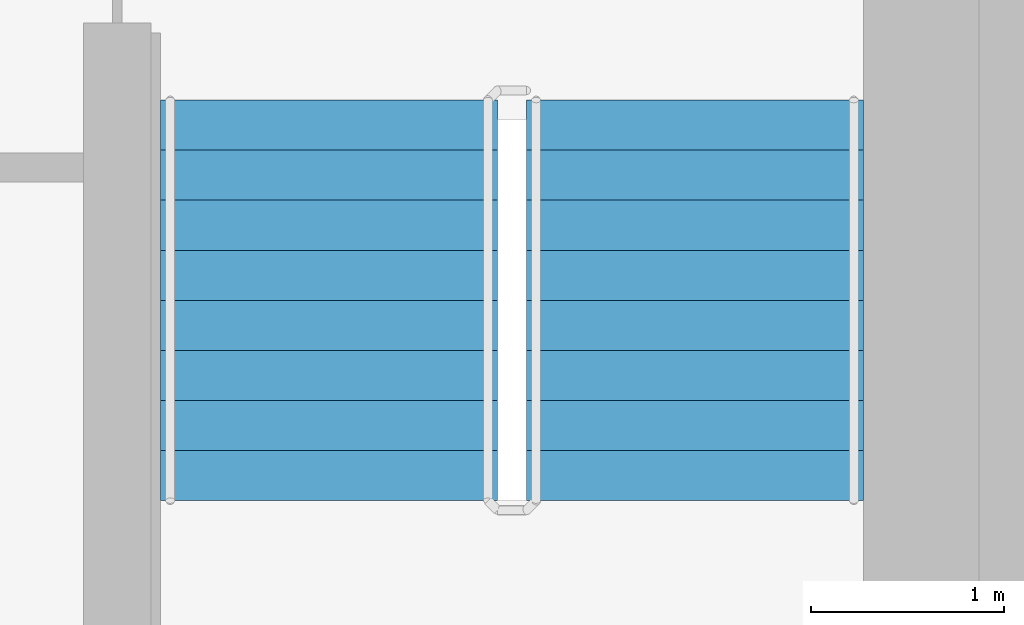
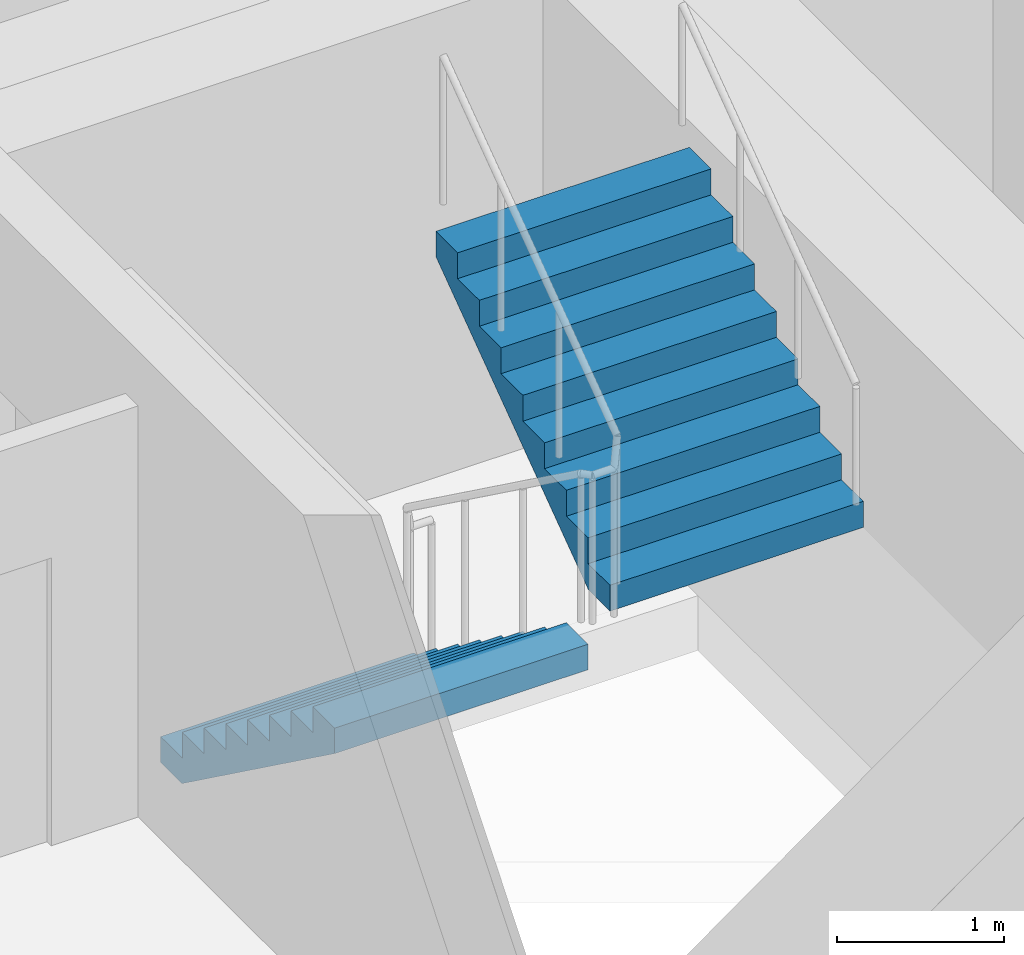
# One storey, part 14 of 18: 2 stair flights, 1 element without a shape of its own.
"""IFC4 building model written with IfcOpenShell, lengths in metres."""

from ifc_helpers import new_model, si_unit, direction, frame, origin, place, context, subcontext, project, spatial, faceted_brep, material, type_object, element, aggregate, save


model = new_model("IFC4")

# Units and contexts
model_context = context("Model", 3, precision=1e-05, world=origin(), true_north=direction((0.0, 1.0)))
body_context = subcontext(model_context, "Body", "Model", "MODEL_VIEW")
ifc_project = project(units=[si_unit("LENGTHUNIT", "METRE"), si_unit("AREAUNIT", "SQUARE_METRE"), si_unit("VOLUMEUNIT", "CUBIC_METRE"), si_unit("PLANEANGLEUNIT", "RADIAN"), si_unit("MASSUNIT", "GRAM", prefix="KILO")], contexts=[model_context])

# Site, building, storey
site_placement = place(None, origin())
site = spatial("IfcSite", under=ifc_project, at=site_placement, CompositionType="ELEMENT")
building_placement = place(site_placement, origin())
building = spatial("IfcBuilding", under=site, at=building_placement, Name="Ipe Terrace Towers", CompositionType="ELEMENT")
storey_placement = place(building_placement, frame((0.0, 0.0, 202.800048828125)))
storey = spatial("IfcBuildingStorey", under=building, at=storey_placement, Name="L56", CompositionType="ELEMENT", Elevation=202.800048828125)

# Stair, stair flights
ifc_material_1 = material(Name="Concrete C30/37", Category="concrete")
stair_type = type_object("IfcStairType", Name="Protected exit stair", PredefinedType="HALF_TURN_STAIR", material=ifc_material_1)
stair_placement = place(storey_placement, origin())
stair = element("IfcStair", 1, at=stair_placement, inside=storey, type_object=stair_type, Name="L56 Exit stair T2-C2", PredefinedType="HALF_TURN_STAIR")
ifc_material_2 = material(Name="Concrete C30/37", Category="concrete")
stair_flight_type = type_object("IfcStairFlightType", Name="Exit stair flight 1750", PredefinedType="STRAIGHT", material=ifc_material_2)
stair_flight_1_placement = place(storey_placement, frame((38.77490234375, -9.699951171875, 0.0), z_axis=(0.0, 0.0, 1.0), x_axis=(0.0, -1.0, 0.0)))
stair_flight_1 = element("IfcStairFlight", 2, at=stair_flight_1_placement, type_object=stair_flight_type, Name="T2-ST2 flight 1", NumberOfRisers=9, NumberOfTreads=8, PredefinedType="STRAIGHT", RiserHeight=0.188888889, TreadLength=0.26, context=body_context, shape_type="Brep", body=[
    faceted_brep([(0.255126953125, -0.875, 0.0), (2.080078125, -0.875, 1.325927734375), (2.080078125, -0.875, 1.51123046875), (1.820068359375, -0.875, 1.51123046875), (1.820068359375, -0.875, 1.322265625), (1.56005859375, -0.875, 1.322265625), (1.56005859375, -0.875, 1.13330078125), (1.300048828125, -0.875, 1.13330078125), (1.300048828125, -0.875, 0.9443359375), (1.0400390625, -0.875, 0.9443359375), (1.0400390625, -0.875, 0.755615234375), (0.780029296875, -0.875, 0.755615234375), (0.780029296875, -0.875, 0.566650390625), (0.52001953125, -0.875, 0.566650390625), (0.52001953125, -0.875, 0.377685546875), (0.260009765625, -0.875, 0.377685546875), (0.260009765625, -0.875, 0.18896484375), (0.0, -0.875, 0.18896484375), (0.0, -0.875, 0.0), (0.0, 0.875, 0.0), (0.0, 0.875, 0.18896484375), (0.260009765625, 0.875, 0.18896484375), (0.260009765625, 0.875, 0.377685546875), (0.52001953125, 0.875, 0.377685546875), (0.52001953125, 0.875, 0.566650390625), (0.780029296875, 0.875, 0.566650390625), (0.780029296875, 0.875, 0.755615234375), (1.0400390625, 0.875, 0.755615234375), (1.0400390625, 0.875, 0.9443359375), (1.300048828125, 0.875, 0.9443359375), (1.300048828125, 0.875, 1.13330078125), (1.56005859375, 0.875, 1.13330078125), (1.56005859375, 0.875, 1.322265625), (1.820068359375, 0.875, 1.322265625), (1.820068359375, 0.875, 1.51123046875), (2.080078125, 0.875, 1.51123046875), (2.080078125, 0.875, 1.325927734375), (0.255126953125, 0.875, 0.0), (0.0, -0.300048828125, 0.18896484375), (0.0, -0.1201171875, 0.18896484375), (0.0, -0.06005859375, 0.18896484375), (0.0, -0.030029296875, 0.18896484375), (0.0, -0.010009765625, 0.18896484375), (0.0, 0.0, 0.18896484375), (0.0, 0.010009765625, 0.18896484375), (0.0, 0.030029296875, 0.18896484375), (0.0, 0.06005859375, 0.18896484375), (0.0, 0.1201171875, 0.18896484375), (0.0, 0.300048828125, 0.18896484375), (0.0, 0.300048828125, 0.0), (0.0, 0.1201171875, 0.0), (0.0, 0.06005859375, 0.0), (0.0, 0.030029296875, 0.0), (0.0, 0.010009765625, 0.0), (0.0, 0.0, 0.0), (0.0, -0.010009765625, 0.0), (0.0, -0.030029296875, 0.0), (0.0, -0.06005859375, 0.0), (0.0, -0.1201171875, 0.0), (0.0, -0.300048828125, 0.0), (0.260009765625, -0.300048828125, 0.18896484375), (0.260009765625, -0.1201171875, 0.18896484375), (0.260009765625, -0.06005859375, 0.18896484375), (0.260009765625, -0.030029296875, 0.18896484375), (0.260009765625, -0.010009765625, 0.18896484375), (0.260009765625, 0.0, 0.18896484375), (0.260009765625, 0.010009765625, 0.18896484375), (0.260009765625, 0.030029296875, 0.18896484375), (0.260009765625, 0.06005859375, 0.18896484375), (0.260009765625, 0.1201171875, 0.18896484375), (0.260009765625, 0.300048828125, 0.18896484375), (0.260009765625, -0.300048828125, 0.377685546875), (0.260009765625, -0.1201171875, 0.377685546875), (0.260009765625, -0.06005859375, 0.377685546875), (0.260009765625, -0.030029296875, 0.377685546875), (0.260009765625, -0.010009765625, 0.377685546875), (0.260009765625, 0.0, 0.377685546875), (0.260009765625, 0.010009765625, 0.377685546875), (0.260009765625, 0.030029296875, 0.377685546875), (0.260009765625, 0.06005859375, 0.377685546875), (0.260009765625, 0.1201171875, 0.377685546875), (0.260009765625, 0.300048828125, 0.377685546875), (0.52001953125, -0.300048828125, 0.377685546875), (0.52001953125, -0.1201171875, 0.377685546875), (0.52001953125, -0.06005859375, 0.377685546875), (0.52001953125, -0.030029296875, 0.377685546875), (0.52001953125, -0.010009765625, 0.377685546875), (0.52001953125, 0.0, 0.377685546875), (0.52001953125, 0.010009765625, 0.377685546875), (0.52001953125, 0.030029296875, 0.377685546875), (0.52001953125, 0.06005859375, 0.377685546875), (0.52001953125, 0.1201171875, 0.377685546875), (0.52001953125, 0.300048828125, 0.377685546875), (0.52001953125, -0.300048828125, 0.566650390625), (0.52001953125, -0.1201171875, 0.566650390625), (0.52001953125, -0.06005859375, 0.566650390625), (0.52001953125, -0.030029296875, 0.566650390625), (0.52001953125, -0.010009765625, 0.566650390625), (0.52001953125, 0.0, 0.566650390625), (0.52001953125, 0.010009765625, 0.566650390625), (0.52001953125, 0.030029296875, 0.566650390625), (0.52001953125, 0.06005859375, 0.566650390625), (0.52001953125, 0.1201171875, 0.566650390625), (0.52001953125, 0.300048828125, 0.566650390625), (0.780029296875, -0.300048828125, 0.566650390625), (0.780029296875, -0.1201171875, 0.566650390625), (0.780029296875, -0.06005859375, 0.566650390625), (0.780029296875, -0.030029296875, 0.566650390625), (0.780029296875, -0.010009765625, 0.566650390625), (0.780029296875, 0.0, 0.566650390625), (0.780029296875, 0.010009765625, 0.566650390625), (0.780029296875, 0.030029296875, 0.566650390625), (0.780029296875, 0.06005859375, 0.566650390625), (0.780029296875, 0.1201171875, 0.566650390625), (0.780029296875, 0.300048828125, 0.566650390625), (0.780029296875, -0.300048828125, 0.755615234375), (0.780029296875, -0.1201171875, 0.755615234375), (0.780029296875, -0.06005859375, 0.755615234375), (0.780029296875, -0.030029296875, 0.755615234375), (0.780029296875, -0.010009765625, 0.755615234375), (0.780029296875, 0.0, 0.755615234375), (0.780029296875, 0.010009765625, 0.755615234375), (0.780029296875, 0.030029296875, 0.755615234375), (0.780029296875, 0.06005859375, 0.755615234375), (0.780029296875, 0.1201171875, 0.755615234375), (0.780029296875, 0.300048828125, 0.755615234375), (1.0400390625, -0.300048828125, 0.755615234375), (1.0400390625, -0.1201171875, 0.755615234375), (1.0400390625, -0.06005859375, 0.755615234375), (1.0400390625, -0.030029296875, 0.755615234375), (1.0400390625, -0.010009765625, 0.755615234375), (1.0400390625, 0.0, 0.755615234375), (1.0400390625, 0.010009765625, 0.755615234375), (1.0400390625, 0.030029296875, 0.755615234375), (1.0400390625, 0.06005859375, 0.755615234375), (1.0400390625, 0.1201171875, 0.755615234375), (1.0400390625, 0.300048828125, 0.755615234375), (1.0400390625, -0.300048828125, 0.9443359375), (1.0400390625, -0.1201171875, 0.9443359375), (1.0400390625, -0.06005859375, 0.9443359375), (1.0400390625, -0.030029296875, 0.9443359375), (1.0400390625, -0.010009765625, 0.9443359375), (1.0400390625, 0.0, 0.9443359375), (1.0400390625, 0.010009765625, 0.9443359375), (1.0400390625, 0.030029296875, 0.9443359375), (1.0400390625, 0.06005859375, 0.9443359375), (1.0400390625, 0.1201171875, 0.9443359375), (1.0400390625, 0.300048828125, 0.9443359375), (1.300048828125, -0.300048828125, 0.9443359375), (1.300048828125, -0.1201171875, 0.9443359375), (1.300048828125, -0.06005859375, 0.9443359375), (1.300048828125, -0.030029296875, 0.9443359375), (1.300048828125, -0.010009765625, 0.9443359375), (1.300048828125, 0.0, 0.9443359375), (1.300048828125, 0.010009765625, 0.9443359375), (1.300048828125, 0.030029296875, 0.9443359375), (1.300048828125, 0.06005859375, 0.9443359375), (1.300048828125, 0.1201171875, 0.9443359375), (1.300048828125, 0.300048828125, 0.9443359375), (1.300048828125, -0.300048828125, 1.13330078125), (1.300048828125, -0.1201171875, 1.13330078125), (1.300048828125, -0.06005859375, 1.13330078125), (1.300048828125, -0.030029296875, 1.13330078125), (1.300048828125, -0.010009765625, 1.13330078125), (1.300048828125, 0.0, 1.13330078125), (1.300048828125, 0.010009765625, 1.13330078125), (1.300048828125, 0.030029296875, 1.13330078125), (1.300048828125, 0.06005859375, 1.13330078125), (1.300048828125, 0.1201171875, 1.13330078125), (1.300048828125, 0.300048828125, 1.13330078125), (1.56005859375, -0.300048828125, 1.13330078125), (1.56005859375, -0.1201171875, 1.13330078125), (1.56005859375, -0.06005859375, 1.13330078125), (1.56005859375, -0.030029296875, 1.13330078125), (1.56005859375, -0.010009765625, 1.13330078125), (1.56005859375, 0.0, 1.13330078125), (1.56005859375, 0.010009765625, 1.13330078125), (1.56005859375, 0.030029296875, 1.13330078125), (1.56005859375, 0.06005859375, 1.13330078125), (1.56005859375, 0.1201171875, 1.13330078125), (1.56005859375, 0.300048828125, 1.13330078125), (1.56005859375, -0.300048828125, 1.322265625), (1.56005859375, -0.1201171875, 1.322265625), (1.56005859375, -0.06005859375, 1.322265625), (1.56005859375, -0.030029296875, 1.322265625), (1.56005859375, -0.010009765625, 1.322265625), (1.56005859375, 0.0, 1.322265625), (1.56005859375, 0.010009765625, 1.322265625), (1.56005859375, 0.030029296875, 1.322265625), (1.56005859375, 0.06005859375, 1.322265625), (1.56005859375, 0.1201171875, 1.322265625), (1.56005859375, 0.300048828125, 1.322265625), (1.820068359375, -0.300048828125, 1.322265625), (1.820068359375, -0.1201171875, 1.322265625), (1.820068359375, -0.06005859375, 1.322265625), (1.820068359375, -0.030029296875, 1.322265625), (1.820068359375, -0.010009765625, 1.322265625), (1.820068359375, 0.0, 1.322265625), (1.820068359375, 0.010009765625, 1.322265625), (1.820068359375, 0.030029296875, 1.322265625), (1.820068359375, 0.06005859375, 1.322265625), (1.820068359375, 0.1201171875, 1.322265625), (1.820068359375, 0.300048828125, 1.322265625), (1.820068359375, -0.300048828125, 1.51123046875), (1.820068359375, -0.1201171875, 1.51123046875), (1.820068359375, -0.06005859375, 1.51123046875), (1.820068359375, -0.030029296875, 1.51123046875), (1.820068359375, -0.010009765625, 1.51123046875), (1.820068359375, 0.0, 1.51123046875), (1.820068359375, 0.010009765625, 1.51123046875), (1.820068359375, 0.030029296875, 1.51123046875), (1.820068359375, 0.06005859375, 1.51123046875), (1.820068359375, 0.1201171875, 1.51123046875), (1.820068359375, 0.300048828125, 1.51123046875), (2.080078125, -0.300048828125, 1.51123046875), (2.080078125, -0.1201171875, 1.51123046875), (2.080078125, -0.06005859375, 1.51123046875), (2.080078125, -0.030029296875, 1.51123046875), (2.080078125, -0.010009765625, 1.51123046875), (2.080078125, 0.0, 1.51123046875), (2.080078125, 0.010009765625, 1.51123046875), (2.080078125, 0.030029296875, 1.51123046875), (2.080078125, 0.06005859375, 1.51123046875), (2.080078125, 0.1201171875, 1.51123046875), (2.080078125, 0.300048828125, 1.51123046875), (2.080078125, -0.300048828125, 1.325927734375), (2.080078125, -0.1201171875, 1.325927734375), (2.080078125, -0.06005859375, 1.325927734375), (2.080078125, -0.030029296875, 1.325927734375), (2.080078125, -0.010009765625, 1.325927734375), (2.080078125, 0.0, 1.325927734375), (2.080078125, 0.010009765625, 1.325927734375), (2.080078125, 0.030029296875, 1.325927734375), (2.080078125, 0.06005859375, 1.325927734375), (2.080078125, 0.1201171875, 1.325927734375), (2.080078125, 0.300048828125, 1.325927734375), (0.255126953125, -0.300048828125, 0.0), (0.255126953125, -0.1201171875, 0.0), (0.255126953125, -0.06005859375, 0.0), (0.255126953125, -0.030029296875, 0.0), (0.255126953125, -0.010009765625, 0.0), (0.255126953125, 0.0, 0.0), (0.255126953125, 0.010009765625, 0.0), (0.255126953125, 0.030029296875, 0.0), (0.255126953125, 0.06005859375, 0.0), (0.255126953125, 0.1201171875, 0.0), (0.255126953125, 0.300048828125, 0.0)], [[[0, 1, 2, 3, 4, 5, 6, 7, 8, 9, 10, 11, 12, 13, 14, 15, 16, 17, 18]], [[19, 20, 21, 22, 23, 24, 25, 26, 27, 28, 29, 30, 31, 32, 33, 34, 35, 36, 37]], [[17, 38, 39, 40, 41, 42, 43, 44, 45, 46, 47, 48, 20, 19, 49, 50, 51, 52, 53, 54, 55, 56, 57, 58, 59, 18]], [[16, 60, 61, 62, 63, 64, 65, 66, 67, 68, 69, 70, 21, 20, 48, 47, 46, 45, 44, 43, 42, 41, 40, 39, 38, 17]], [[15, 71, 72, 73, 74, 75, 76, 77, 78, 79, 80, 81, 22, 21, 70, 69, 68, 67, 66, 65, 64, 63, 62, 61, 60, 16]], [[14, 82, 83, 84, 85, 86, 87, 88, 89, 90, 91, 92, 23, 22, 81, 80, 79, 78, 77, 76, 75, 74, 73, 72, 71, 15]], [[13, 93, 94, 95, 96, 97, 98, 99, 100, 101, 102, 103, 24, 23, 92, 91, 90, 89, 88, 87, 86, 85, 84, 83, 82, 14]], [[12, 104, 105, 106, 107, 108, 109, 110, 111, 112, 113, 114, 25, 24, 103, 102, 101, 100, 99, 98, 97, 96, 95, 94, 93, 13]], [[11, 115, 116, 117, 118, 119, 120, 121, 122, 123, 124, 125, 26, 25, 114, 113, 112, 111, 110, 109, 108, 107, 106, 105, 104, 12]], [[10, 126, 127, 128, 129, 130, 131, 132, 133, 134, 135, 136, 27, 26, 125, 124, 123, 122, 121, 120, 119, 118, 117, 116, 115, 11]], [[9, 137, 138, 139, 140, 141, 142, 143, 144, 145, 146, 147, 28, 27, 136, 135, 134, 133, 132, 131, 130, 129, 128, 127, 126, 10]], [[8, 148, 149, 150, 151, 152, 153, 154, 155, 156, 157, 158, 29, 28, 147, 146, 145, 144, 143, 142, 141, 140, 139, 138, 137, 9]], [[7, 159, 160, 161, 162, 163, 164, 165, 166, 167, 168, 169, 30, 29, 158, 157, 156, 155, 154, 153, 152, 151, 150, 149, 148, 8]], [[6, 170, 171, 172, 173, 174, 175, 176, 177, 178, 179, 180, 31, 30, 169, 168, 167, 166, 165, 164, 163, 162, 161, 160, 159, 7]], [[5, 181, 182, 183, 184, 185, 186, 187, 188, 189, 190, 191, 32, 31, 180, 179, 178, 177, 176, 175, 174, 173, 172, 171, 170, 6]], [[4, 192, 193, 194, 195, 196, 197, 198, 199, 200, 201, 202, 33, 32, 191, 190, 189, 188, 187, 186, 185, 184, 183, 182, 181, 5]], [[3, 203, 204, 205, 206, 207, 208, 209, 210, 211, 212, 213, 34, 33, 202, 201, 200, 199, 198, 197, 196, 195, 194, 193, 192, 4]], [[2, 214, 215, 216, 217, 218, 219, 220, 221, 222, 223, 224, 35, 34, 213, 212, 211, 210, 209, 208, 207, 206, 205, 204, 203, 3]], [[1, 225, 226, 227, 228, 229, 230, 231, 232, 233, 234, 235, 36, 35, 224, 223, 222, 221, 220, 219, 218, 217, 216, 215, 214, 2]], [[0, 236, 237, 238, 239, 240, 241, 242, 243, 244, 245, 246, 37, 36, 235, 234, 233, 232, 231, 230, 229, 228, 227, 226, 225, 1]], [[18, 59, 58, 57, 56, 55, 54, 53, 52, 51, 50, 49, 19, 37, 246, 245, 244, 243, 242, 241, 240, 239, 238, 237, 236, 0]]]),
])
stair_flight_2_placement = place(storey_placement, frame((40.675048828125, -11.780029296875, 1.699951171875), z_axis=(0.0, 0.0, 1.0), x_axis=(0.0, 1.0, 0.0)))
stair_flight_2 = element("IfcStairFlight", 3, at=stair_flight_2_placement, type_object=stair_flight_type, Name="T2-ST2 flight 2", NumberOfRisers=9, NumberOfTreads=8, PredefinedType="STRAIGHT", RiserHeight=0.188888889, TreadLength=0.26, context=body_context, shape_type="Brep", body=[
    faceted_brep([(0.255126953125, -0.875, 0.0), (2.080078125, -0.875, 1.325927734375), (2.080078125, -0.875, 1.51123046875), (1.820068359375, -0.875, 1.51123046875), (1.820068359375, -0.875, 1.322265625), (1.56005859375, -0.875, 1.322265625), (1.56005859375, -0.875, 1.13330078125), (1.300048828125, -0.875, 1.13330078125), (1.300048828125, -0.875, 0.9443359375), (1.0400390625, -0.875, 0.9443359375), (1.0400390625, -0.875, 0.755615234375), (0.780029296875, -0.875, 0.755615234375), (0.780029296875, -0.875, 0.566650390625), (0.52001953125, -0.875, 0.566650390625), (0.52001953125, -0.875, 0.377685546875), (0.260009765625, -0.875, 0.377685546875), (0.260009765625, -0.875, 0.18896484375), (0.0, -0.875, 0.18896484375), (0.0, -0.875, 0.0), (0.0, 0.875, 0.0), (0.0, 0.875, 0.18896484375), (0.260009765625, 0.875, 0.18896484375), (0.260009765625, 0.875, 0.377685546875), (0.52001953125, 0.875, 0.377685546875), (0.52001953125, 0.875, 0.566650390625), (0.780029296875, 0.875, 0.566650390625), (0.780029296875, 0.875, 0.755615234375), (1.0400390625, 0.875, 0.755615234375), (1.0400390625, 0.875, 0.9443359375), (1.300048828125, 0.875, 0.9443359375), (1.300048828125, 0.875, 1.13330078125), (1.56005859375, 0.875, 1.13330078125), (1.56005859375, 0.875, 1.322265625), (1.820068359375, 0.875, 1.322265625), (1.820068359375, 0.875, 1.51123046875), (2.080078125, 0.875, 1.51123046875), (2.080078125, 0.875, 1.325927734375), (0.255126953125, 0.875, 0.0), (0.0, -0.300048828125, 0.18896484375), (0.0, -0.1201171875, 0.18896484375), (0.0, -0.06005859375, 0.18896484375), (0.0, -0.030029296875, 0.18896484375), (0.0, -0.010009765625, 0.18896484375), (0.0, 0.0, 0.18896484375), (0.0, 0.010009765625, 0.18896484375), (0.0, 0.030029296875, 0.18896484375), (0.0, 0.06005859375, 0.18896484375), (0.0, 0.1201171875, 0.18896484375), (0.0, 0.300048828125, 0.18896484375), (0.0, 0.300048828125, 0.0), (0.0, 0.1201171875, 0.0), (0.0, 0.06005859375, 0.0), (0.0, 0.030029296875, 0.0), (0.0, 0.010009765625, 0.0), (0.0, 0.0, 0.0), (0.0, -0.010009765625, 0.0), (0.0, -0.030029296875, 0.0), (0.0, -0.06005859375, 0.0), (0.0, -0.1201171875, 0.0), (0.0, -0.300048828125, 0.0), (0.260009765625, -0.300048828125, 0.18896484375), (0.260009765625, -0.1201171875, 0.18896484375), (0.260009765625, -0.06005859375, 0.18896484375), (0.260009765625, -0.030029296875, 0.18896484375), (0.260009765625, -0.010009765625, 0.18896484375), (0.260009765625, 0.0, 0.18896484375), (0.260009765625, 0.010009765625, 0.18896484375), (0.260009765625, 0.030029296875, 0.18896484375), (0.260009765625, 0.06005859375, 0.18896484375), (0.260009765625, 0.1201171875, 0.18896484375), (0.260009765625, 0.300048828125, 0.18896484375), (0.260009765625, -0.300048828125, 0.377685546875), (0.260009765625, -0.1201171875, 0.377685546875), (0.260009765625, -0.06005859375, 0.377685546875), (0.260009765625, -0.030029296875, 0.377685546875), (0.260009765625, -0.010009765625, 0.377685546875), (0.260009765625, 0.0, 0.377685546875), (0.260009765625, 0.010009765625, 0.377685546875), (0.260009765625, 0.030029296875, 0.377685546875), (0.260009765625, 0.06005859375, 0.377685546875), (0.260009765625, 0.1201171875, 0.377685546875), (0.260009765625, 0.300048828125, 0.377685546875), (0.52001953125, -0.300048828125, 0.377685546875), (0.52001953125, -0.1201171875, 0.377685546875), (0.52001953125, -0.06005859375, 0.377685546875), (0.52001953125, -0.030029296875, 0.377685546875), (0.52001953125, -0.010009765625, 0.377685546875), (0.52001953125, 0.0, 0.377685546875), (0.52001953125, 0.010009765625, 0.377685546875), (0.52001953125, 0.030029296875, 0.377685546875), (0.52001953125, 0.06005859375, 0.377685546875), (0.52001953125, 0.1201171875, 0.377685546875), (0.52001953125, 0.300048828125, 0.377685546875), (0.52001953125, -0.300048828125, 0.566650390625), (0.52001953125, -0.1201171875, 0.566650390625), (0.52001953125, -0.06005859375, 0.566650390625), (0.52001953125, -0.030029296875, 0.566650390625), (0.52001953125, -0.010009765625, 0.566650390625), (0.52001953125, 0.0, 0.566650390625), (0.52001953125, 0.010009765625, 0.566650390625), (0.52001953125, 0.030029296875, 0.566650390625), (0.52001953125, 0.06005859375, 0.566650390625), (0.52001953125, 0.1201171875, 0.566650390625), (0.52001953125, 0.300048828125, 0.566650390625), (0.780029296875, -0.300048828125, 0.566650390625), (0.780029296875, -0.1201171875, 0.566650390625), (0.780029296875, -0.06005859375, 0.566650390625), (0.780029296875, -0.030029296875, 0.566650390625), (0.780029296875, -0.010009765625, 0.566650390625), (0.780029296875, 0.0, 0.566650390625), (0.780029296875, 0.010009765625, 0.566650390625), (0.780029296875, 0.030029296875, 0.566650390625), (0.780029296875, 0.06005859375, 0.566650390625), (0.780029296875, 0.1201171875, 0.566650390625), (0.780029296875, 0.300048828125, 0.566650390625), (0.780029296875, -0.300048828125, 0.755615234375), (0.780029296875, -0.1201171875, 0.755615234375), (0.780029296875, -0.06005859375, 0.755615234375), (0.780029296875, -0.030029296875, 0.755615234375), (0.780029296875, -0.010009765625, 0.755615234375), (0.780029296875, 0.0, 0.755615234375), (0.780029296875, 0.010009765625, 0.755615234375), (0.780029296875, 0.030029296875, 0.755615234375), (0.780029296875, 0.06005859375, 0.755615234375), (0.780029296875, 0.1201171875, 0.755615234375), (0.780029296875, 0.300048828125, 0.755615234375), (1.0400390625, -0.300048828125, 0.755615234375), (1.0400390625, -0.1201171875, 0.755615234375), (1.0400390625, -0.06005859375, 0.755615234375), (1.0400390625, -0.030029296875, 0.755615234375), (1.0400390625, -0.010009765625, 0.755615234375), (1.0400390625, 0.0, 0.755615234375), (1.0400390625, 0.010009765625, 0.755615234375), (1.0400390625, 0.030029296875, 0.755615234375), (1.0400390625, 0.06005859375, 0.755615234375), (1.0400390625, 0.1201171875, 0.755615234375), (1.0400390625, 0.300048828125, 0.755615234375), (1.0400390625, -0.300048828125, 0.9443359375), (1.0400390625, -0.1201171875, 0.9443359375), (1.0400390625, -0.06005859375, 0.9443359375), (1.0400390625, -0.030029296875, 0.9443359375), (1.0400390625, -0.010009765625, 0.9443359375), (1.0400390625, 0.0, 0.9443359375), (1.0400390625, 0.010009765625, 0.9443359375), (1.0400390625, 0.030029296875, 0.9443359375), (1.0400390625, 0.06005859375, 0.9443359375), (1.0400390625, 0.1201171875, 0.9443359375), (1.0400390625, 0.300048828125, 0.9443359375), (1.300048828125, -0.300048828125, 0.9443359375), (1.300048828125, -0.1201171875, 0.9443359375), (1.300048828125, -0.06005859375, 0.9443359375), (1.300048828125, -0.030029296875, 0.9443359375), (1.300048828125, -0.010009765625, 0.9443359375), (1.300048828125, 0.0, 0.9443359375), (1.300048828125, 0.010009765625, 0.9443359375), (1.300048828125, 0.030029296875, 0.9443359375), (1.300048828125, 0.06005859375, 0.9443359375), (1.300048828125, 0.1201171875, 0.9443359375), (1.300048828125, 0.300048828125, 0.9443359375), (1.300048828125, -0.300048828125, 1.13330078125), (1.300048828125, -0.1201171875, 1.13330078125), (1.300048828125, -0.06005859375, 1.13330078125), (1.300048828125, -0.030029296875, 1.13330078125), (1.300048828125, -0.010009765625, 1.13330078125), (1.300048828125, 0.0, 1.13330078125), (1.300048828125, 0.010009765625, 1.13330078125), (1.300048828125, 0.030029296875, 1.13330078125), (1.300048828125, 0.06005859375, 1.13330078125), (1.300048828125, 0.1201171875, 1.13330078125), (1.300048828125, 0.300048828125, 1.13330078125), (1.56005859375, -0.300048828125, 1.13330078125), (1.56005859375, -0.1201171875, 1.13330078125), (1.56005859375, -0.06005859375, 1.13330078125), (1.56005859375, -0.030029296875, 1.13330078125), (1.56005859375, -0.010009765625, 1.13330078125), (1.56005859375, 0.0, 1.13330078125), (1.56005859375, 0.010009765625, 1.13330078125), (1.56005859375, 0.030029296875, 1.13330078125), (1.56005859375, 0.06005859375, 1.13330078125), (1.56005859375, 0.1201171875, 1.13330078125), (1.56005859375, 0.300048828125, 1.13330078125), (1.56005859375, -0.300048828125, 1.322265625), (1.56005859375, -0.1201171875, 1.322265625), (1.56005859375, -0.06005859375, 1.322265625), (1.56005859375, -0.030029296875, 1.322265625), (1.56005859375, -0.010009765625, 1.322265625), (1.56005859375, 0.0, 1.322265625), (1.56005859375, 0.010009765625, 1.322265625), (1.56005859375, 0.030029296875, 1.322265625), (1.56005859375, 0.06005859375, 1.322265625), (1.56005859375, 0.1201171875, 1.322265625), (1.56005859375, 0.300048828125, 1.322265625), (1.820068359375, -0.300048828125, 1.322265625), (1.820068359375, -0.1201171875, 1.322265625), (1.820068359375, -0.06005859375, 1.322265625), (1.820068359375, -0.030029296875, 1.322265625), (1.820068359375, -0.010009765625, 1.322265625), (1.820068359375, 0.0, 1.322265625), (1.820068359375, 0.010009765625, 1.322265625), (1.820068359375, 0.030029296875, 1.322265625), (1.820068359375, 0.06005859375, 1.322265625), (1.820068359375, 0.1201171875, 1.322265625), (1.820068359375, 0.300048828125, 1.322265625), (1.820068359375, -0.300048828125, 1.51123046875), (1.820068359375, -0.1201171875, 1.51123046875), (1.820068359375, -0.06005859375, 1.51123046875), (1.820068359375, -0.030029296875, 1.51123046875), (1.820068359375, -0.010009765625, 1.51123046875), (1.820068359375, 0.0, 1.51123046875), (1.820068359375, 0.010009765625, 1.51123046875), (1.820068359375, 0.030029296875, 1.51123046875), (1.820068359375, 0.06005859375, 1.51123046875), (1.820068359375, 0.1201171875, 1.51123046875), (1.820068359375, 0.300048828125, 1.51123046875), (2.080078125, -0.300048828125, 1.51123046875), (2.080078125, -0.1201171875, 1.51123046875), (2.080078125, -0.06005859375, 1.51123046875), (2.080078125, -0.030029296875, 1.51123046875), (2.080078125, -0.010009765625, 1.51123046875), (2.080078125, 0.0, 1.51123046875), (2.080078125, 0.010009765625, 1.51123046875), (2.080078125, 0.030029296875, 1.51123046875), (2.080078125, 0.06005859375, 1.51123046875), (2.080078125, 0.1201171875, 1.51123046875), (2.080078125, 0.300048828125, 1.51123046875), (2.080078125, -0.300048828125, 1.325927734375), (2.080078125, -0.1201171875, 1.325927734375), (2.080078125, -0.06005859375, 1.325927734375), (2.080078125, -0.030029296875, 1.325927734375), (2.080078125, -0.010009765625, 1.325927734375), (2.080078125, 0.0, 1.325927734375), (2.080078125, 0.010009765625, 1.325927734375), (2.080078125, 0.030029296875, 1.325927734375), (2.080078125, 0.06005859375, 1.325927734375), (2.080078125, 0.1201171875, 1.325927734375), (2.080078125, 0.300048828125, 1.325927734375), (0.255126953125, -0.300048828125, 0.0), (0.255126953125, -0.1201171875, 0.0), (0.255126953125, -0.06005859375, 0.0), (0.255126953125, -0.030029296875, 0.0), (0.255126953125, -0.010009765625, 0.0), (0.255126953125, 0.0, 0.0), (0.255126953125, 0.010009765625, 0.0), (0.255126953125, 0.030029296875, 0.0), (0.255126953125, 0.06005859375, 0.0), (0.255126953125, 0.1201171875, 0.0), (0.255126953125, 0.300048828125, 0.0)], [[[0, 1, 2, 3, 4, 5, 6, 7, 8, 9, 10, 11, 12, 13, 14, 15, 16, 17, 18]], [[19, 20, 21, 22, 23, 24, 25, 26, 27, 28, 29, 30, 31, 32, 33, 34, 35, 36, 37]], [[17, 38, 39, 40, 41, 42, 43, 44, 45, 46, 47, 48, 20, 19, 49, 50, 51, 52, 53, 54, 55, 56, 57, 58, 59, 18]], [[16, 60, 61, 62, 63, 64, 65, 66, 67, 68, 69, 70, 21, 20, 48, 47, 46, 45, 44, 43, 42, 41, 40, 39, 38, 17]], [[15, 71, 72, 73, 74, 75, 76, 77, 78, 79, 80, 81, 22, 21, 70, 69, 68, 67, 66, 65, 64, 63, 62, 61, 60, 16]], [[14, 82, 83, 84, 85, 86, 87, 88, 89, 90, 91, 92, 23, 22, 81, 80, 79, 78, 77, 76, 75, 74, 73, 72, 71, 15]], [[13, 93, 94, 95, 96, 97, 98, 99, 100, 101, 102, 103, 24, 23, 92, 91, 90, 89, 88, 87, 86, 85, 84, 83, 82, 14]], [[12, 104, 105, 106, 107, 108, 109, 110, 111, 112, 113, 114, 25, 24, 103, 102, 101, 100, 99, 98, 97, 96, 95, 94, 93, 13]], [[11, 115, 116, 117, 118, 119, 120, 121, 122, 123, 124, 125, 26, 25, 114, 113, 112, 111, 110, 109, 108, 107, 106, 105, 104, 12]], [[10, 126, 127, 128, 129, 130, 131, 132, 133, 134, 135, 136, 27, 26, 125, 124, 123, 122, 121, 120, 119, 118, 117, 116, 115, 11]], [[9, 137, 138, 139, 140, 141, 142, 143, 144, 145, 146, 147, 28, 27, 136, 135, 134, 133, 132, 131, 130, 129, 128, 127, 126, 10]], [[8, 148, 149, 150, 151, 152, 153, 154, 155, 156, 157, 158, 29, 28, 147, 146, 145, 144, 143, 142, 141, 140, 139, 138, 137, 9]], [[7, 159, 160, 161, 162, 163, 164, 165, 166, 167, 168, 169, 30, 29, 158, 157, 156, 155, 154, 153, 152, 151, 150, 149, 148, 8]], [[6, 170, 171, 172, 173, 174, 175, 176, 177, 178, 179, 180, 31, 30, 169, 168, 167, 166, 165, 164, 163, 162, 161, 160, 159, 7]], [[5, 181, 182, 183, 184, 185, 186, 187, 188, 189, 190, 191, 32, 31, 180, 179, 178, 177, 176, 175, 174, 173, 172, 171, 170, 6]], [[4, 192, 193, 194, 195, 196, 197, 198, 199, 200, 201, 202, 33, 32, 191, 190, 189, 188, 187, 186, 185, 184, 183, 182, 181, 5]], [[3, 203, 204, 205, 206, 207, 208, 209, 210, 211, 212, 213, 34, 33, 202, 201, 200, 199, 198, 197, 196, 195, 194, 193, 192, 4]], [[2, 214, 215, 216, 217, 218, 219, 220, 221, 222, 223, 224, 35, 34, 213, 212, 211, 210, 209, 208, 207, 206, 205, 204, 203, 3]], [[1, 225, 226, 227, 228, 229, 230, 231, 232, 233, 234, 235, 36, 35, 224, 223, 222, 221, 220, 219, 218, 217, 216, 215, 214, 2]], [[0, 236, 237, 238, 239, 240, 241, 242, 243, 244, 245, 246, 37, 36, 235, 234, 233, 232, 231, 230, 229, 228, 227, 226, 225, 1]], [[18, 59, 58, 57, 56, 55, 54, 53, 52, 51, 50, 49, 19, 37, 246, 245, 244, 243, 242, 241, 240, 239, 238, 237, 236, 0]]]),
])
aggregate(stair, [stair_flight_1, stair_flight_2])

save(model, "model.ifc")
